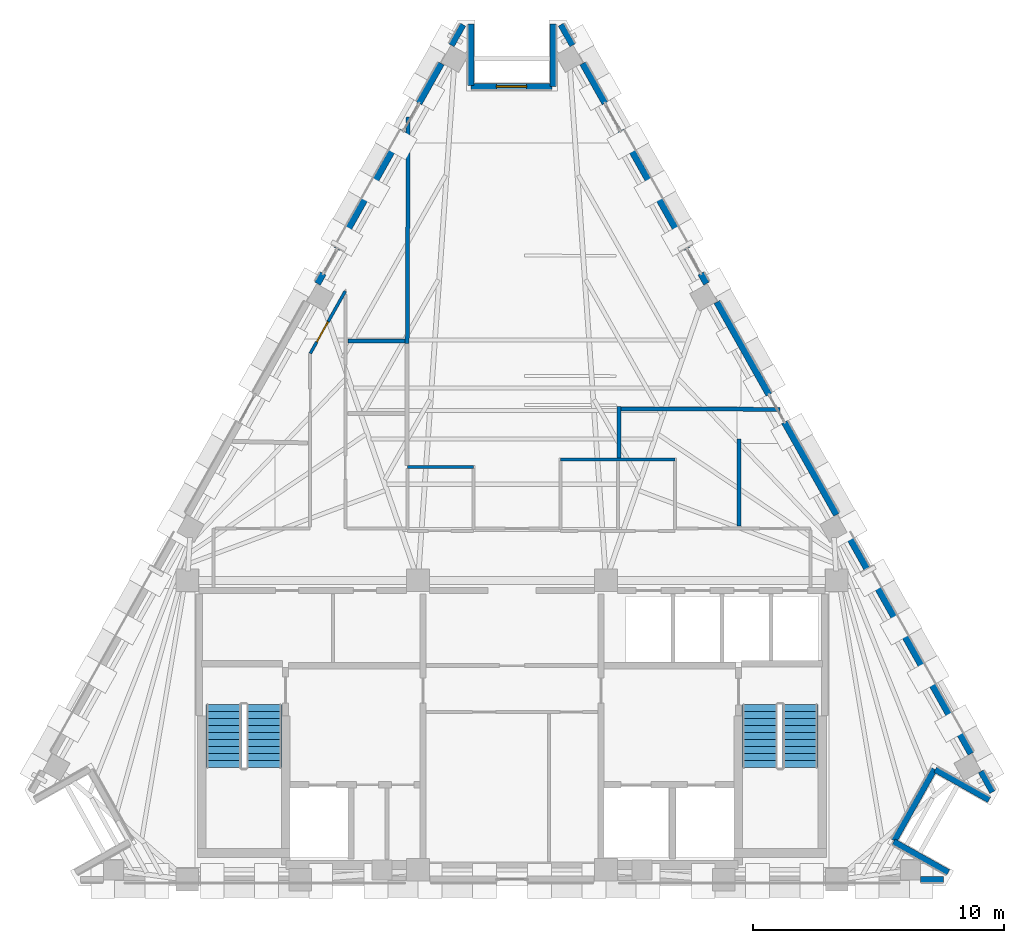
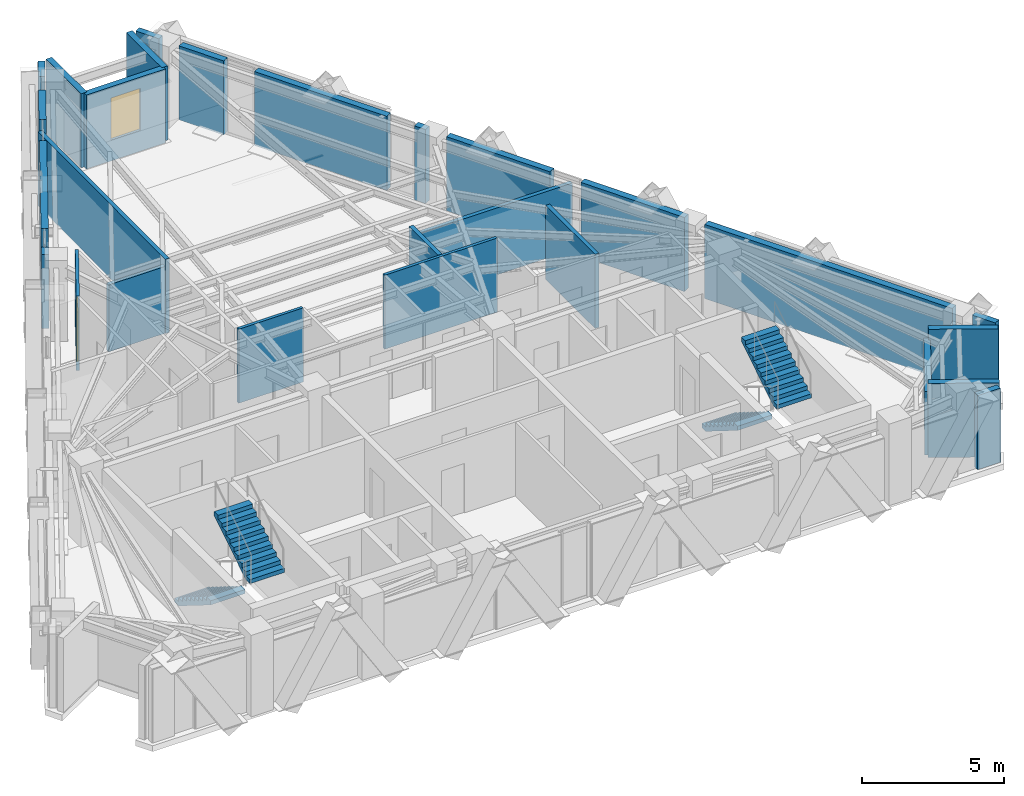
# One storey, part 7 of 9: 27 walls, 4 stair flights, 1 door, 1 window, 2 openings, 2 elements without a shape of their own.
"""IFC4 building model written with IfcOpenShell, lengths in metres."""

import ifcopenshell
import ifcopenshell.guid

model = None  # the IFC model being written
_history = None  # IfcOwnerHistory: only IFC2X3 demands one
_inside = {}  # id of a spatial element -> (the spatial element, [elements in it])
_under = {}  # id of a project, library or spatial element -> (it, [spatial elements below it])
_declared = {}  # id of a project -> (the project, [libraries it declares])
_typed = {}  # id of a type object -> (the type object, [elements of that type])
_made_of = {}  # id of a material, layer set ... -> (it, [elements and type objects made of it])


def new_model(schema):
    """Start an empty IFC model of exactly this schema.

    Asked for "IFC4X3", IfcOpenShell would pick the latest addendum, in which some entities
    have other attributes; the version numbers below select the first issue.
    IFC2X3 requires an IfcOwnerHistory on every rooted entity: one is made here for all.
    """
    global model, _history
    if schema == "IFC4X3":
        model = ifcopenshell.file(schema_version=(4, 3, 0, 0))
    else:
        model = ifcopenshell.file(schema=schema)
    _inside.clear()
    _under.clear()
    _declared.clear()
    _typed.clear()
    _made_of.clear()
    _history = None
    if model.schema == "IFC2X3":
        org = make("IfcOrganization", Name="unknown")
        user = make(
            "IfcPersonAndOrganization",
            ThePerson=make("IfcPerson", FamilyName="unknown"),
            TheOrganization=org,
        )
        app = make(
            "IfcApplication",
            ApplicationDeveloper=org,
            Version="unknown",
            ApplicationFullName="unknown",
            ApplicationIdentifier="unknown",
        )
        _history = make(
            "IfcOwnerHistory",
            OwningUser=user,
            OwningApplication=app,
            ChangeAction="ADDED",
            CreationDate=0,
        )
    return model


def make(cls, **values):
    """One entity of the class cls with the attributes given. An attribute that is None is left unset."""
    return model.create_entity(
        cls, **{name: value for name, value in values.items() if value is not None}
    )


def rooted(cls, **values):
    """An entity with a GlobalId (a new one), such as an element, a storey or a relation."""
    return make(cls, GlobalId=ifcopenshell.guid.new(), OwnerHistory=_history, **values)


def si_unit(unit_type, name, prefix=None):
    """IfcSIUnit, for example si_unit("LENGTHUNIT", "METRE", prefix="MILLI")."""
    return make("IfcSIUnit", UnitType=unit_type, Prefix=prefix, Name=name)


def assignment(units):
    """IfcUnitAssignment: the units of a project."""
    return None if units is None else make("IfcUnitAssignment", Units=units)


def point(xyz):
    """IfcCartesianPoint."""
    return None if xyz is None else make("IfcCartesianPoint", Coordinates=xyz)


def direction(xyz):
    """IfcDirection."""
    return None if xyz is None else make("IfcDirection", DirectionRatios=xyz)


def frame(location, z_axis=None, x_axis=None):
    """IfcAxis2Placement3D, a coordinate frame: its origin and axes. An axis left out is left unset."""
    return make(
        "IfcAxis2Placement3D",
        Location=point(location),
        Axis=direction(z_axis),
        RefDirection=direction(x_axis),
    )


def frame_2d(location, x_axis=None):
    """IfcAxis2Placement2D, a coordinate frame in the plane: its origin and x axis."""
    return make(
        "IfcAxis2Placement2D", Location=point(location), RefDirection=direction(x_axis)
    )


def origin():
    """The frame at (0, 0, 0) with its axes left unset."""
    return frame((0.0, 0.0, 0.0))


def place(relative_to, where):
    """IfcLocalPlacement: puts the frame where relative to a parent placement (None: the world)."""
    return make(
        "IfcLocalPlacement", PlacementRelTo=relative_to, RelativePlacement=where
    )


def context(
    kind, dimensions, precision=None, world=None, true_north=None, identifier=None
):
    """IfcGeometricRepresentationContext, for example the 3D "Model" context."""
    return make(
        "IfcGeometricRepresentationContext",
        ContextIdentifier=identifier,
        ContextType=kind,
        CoordinateSpaceDimension=dimensions,
        Precision=precision,
        WorldCoordinateSystem=world,
        TrueNorth=true_north,
    )


def subcontext(parent, identifier, kind, view, scale=None):
    """IfcGeometricRepresentationSubContext, for example "Body" below "Model"."""
    return make(
        "IfcGeometricRepresentationSubContext",
        ContextIdentifier=identifier,
        ContextType=kind,
        ParentContext=parent,
        TargetScale=scale,
        TargetView=view,
    )


def project(units=None, contexts=None):
    """IfcProject with its units and contexts."""
    return rooted(
        "IfcProject",
        Name="project",
        RepresentationContexts=contexts,
        UnitsInContext=assignment(units),
    )


def spatial(cls, under=None, at=None, **own):
    """A site, building, storey or space (cls), placed at a placement, below another one or the project."""
    s = rooted(cls, ObjectPlacement=at, **own)
    if under is not None:
        _under.setdefault(under.id(), (under, []))[1].append(s)
    return s


def polyline(points):
    """IfcPolyline through the points."""
    return make("IfcPolyline", Points=[point(p) for p in points])


def profile(cls, at=None, kind="AREA", **sizes):
    """A parametric profile (cls). Its sizes go by their IFC names, for example OverallWidth=200.0."""
    return make(cls, ProfileType=kind, Position=at, **sizes)


def rectangle(**sizes):
    """IfcRectangleProfileDef."""
    return profile("IfcRectangleProfileDef", **sizes)


def outline(outer, holes=None, kind="AREA"):
    """IfcArbitraryClosedProfileDef: a profile drawn as a closed curve; with holes, ...WithVoids."""
    if holes is None:
        return make("IfcArbitraryClosedProfileDef", ProfileType=kind, OuterCurve=outer)
    return make(
        "IfcArbitraryProfileDefWithVoids",
        ProfileType=kind,
        OuterCurve=outer,
        InnerCurves=holes,
    )


def extrude(swept, where, along, depth):
    """IfcExtrudedAreaSolid: the profile swept, set in the frame where, extruded along a direction by depth."""
    return make(
        "IfcExtrudedAreaSolid",
        SweptArea=swept,
        Position=where,
        ExtrudedDirection=direction(along),
        Depth=depth,
    )


def shape(context_of_items, identifier, shape_type, items):
    """IfcShapeRepresentation: the items that make up one representation, for example the "Body"."""
    return make(
        "IfcShapeRepresentation",
        ContextOfItems=context_of_items,
        RepresentationIdentifier=identifier,
        RepresentationType=shape_type,
        Items=items,
    )


def material(Name=None, Category=None):
    """IfcMaterial."""
    return make("IfcMaterial", Name=Name, Category=Category)


def layer(
    of_material, thickness, ventilated=None, Name=None, Category=None, Priority=None
):
    """IfcMaterialLayer: one layer of a wall or slab, of a material (None: an air gap)."""
    return make(
        "IfcMaterialLayer",
        Material=of_material,
        LayerThickness=thickness,
        IsVentilated=ventilated,
        Name=Name,
        Category=Category,
        Priority=Priority,
    )


def layer_set(layers, Name=None):
    """IfcMaterialLayerSet."""
    return make("IfcMaterialLayerSet", MaterialLayers=layers, LayerSetName=Name)


def made_of(thing, what):
    """Note that an element or type object is made of a material, layer set ...; save() writes the relation."""
    if what is not None:
        _made_of.setdefault(what.id(), (what, []))[1].append(thing)
    return thing


def type_object(cls, material=None, **own):
    """A type object (cls), such as IfcWallType, which elements share."""
    return made_of(rooted(cls, **own), material)


def element(
    cls,
    number,
    at=None,
    inside=None,
    cuts=None,
    type_object=None,
    material=None,
    context=None,
    identifier="Body",
    shape_type=None,
    held_by="IfcProductDefinitionShape",
    body=None,
    shapes=None,
    **own,
):
    """One element of the class cls, such as IfcWall. Its Tag is "e" and its number.

    at: its placement. inside: the storey or other place that contains it. cuts: it is an
    opening in that element (IfcRelVoidsElement). A single representation is given by context,
    identifier, shape_type and body (its items); several are given by shapes. held_by: the class
    of the entity that holds the representations. save() writes the other relations.
    """
    e = rooted(cls, Tag="e%d" % number, ObjectPlacement=at, **own)
    if body is not None:
        shapes = [shape(context, identifier, shape_type, body)]
    if shapes is not None:
        e.Representation = make(held_by, Representations=shapes)
    if inside is not None:
        _inside.setdefault(inside.id(), (inside, []))[1].append(e)
    if cuts is not None:
        rooted(
            "IfcRelVoidsElement", RelatingBuildingElement=cuts, RelatedOpeningElement=e
        )
    if type_object is not None:
        _typed.setdefault(type_object.id(), (type_object, []))[1].append(e)
    return made_of(e, material)


def fill(opening, filler):
    """IfcRelFillsElement: the door or window that sits in an opening."""
    return rooted(
        "IfcRelFillsElement",
        RelatingOpeningElement=opening,
        RelatedBuildingElement=filler,
    )


def aggregate(whole, parts):
    """IfcRelAggregates: a whole, such as a stair, and the parts it consists of."""
    return rooted("IfcRelAggregates", RelatingObject=whole, RelatedObjects=parts)


def save(model, path):
    """Write the relations noted so far, then the file.

    IfcRelAggregates (storeys below a building ...), IfcRelContainedInSpatialStructure (elements
    in a storey), IfcRelDefinesByType, IfcRelAssociatesMaterial and IfcRelDeclares: one each for
    every whole, place, type object, material and project.
    """
    for whole, parts in _under.values():
        aggregate(whole, parts)
    for where, things in _inside.values():
        rooted(
            "IfcRelContainedInSpatialStructure",
            RelatedElements=things,
            RelatingStructure=where,
        )
    for kind, things in _typed.values():
        rooted("IfcRelDefinesByType", RelatedObjects=things, RelatingType=kind)
    for what, things in _made_of.values():
        rooted("IfcRelAssociatesMaterial", RelatedObjects=things, RelatingMaterial=what)
    for by, libraries in _declared.values():
        rooted("IfcRelDeclares", RelatingContext=by, RelatedDefinitions=libraries)
    model.write(path)


model = new_model("IFC4")

# Units and contexts
model_context = context("Model", 3, precision=1e-05, world=origin(), true_north=direction((0.0, 1.0)))
body_context = subcontext(model_context, "Body", "Model", "MODEL_VIEW")
ifc_project = project(units=[si_unit("LENGTHUNIT", "METRE"), si_unit("AREAUNIT", "SQUARE_METRE"), si_unit("VOLUMEUNIT", "CUBIC_METRE"), si_unit("PLANEANGLEUNIT", "RADIAN"), si_unit("MASSUNIT", "GRAM", prefix="KILO")], contexts=[model_context])

# Site, building, storey
site_placement = place(None, origin())
site = spatial("IfcSite", under=ifc_project, at=site_placement, CompositionType="ELEMENT")
building_placement = place(site_placement, origin())
building = spatial("IfcBuilding", under=site, at=building_placement, Name="Quenlor Broadcast Tower", CompositionType="ELEMENT")
storey_placement = place(building_placement, frame((0.0, 0.0, 267.39990234375)))
storey = spatial("IfcBuildingStorey", under=building, at=storey_placement, Name="L74", CompositionType="ELEMENT", Elevation=267.39990234375)

# Walls
ifc_material_1 = material(Name="Gypsum Fireboard Partition", Category="other")
ifc_layer_1 = layer(ifc_material_1, 0.159912109375)
ifc_layer_set_1 = layer_set([ifc_layer_1], Name="Fire Rated Shaft and Corridor Partition 160")
wall_type_1 = type_object("IfcWallType", Name="Fire Rated Shaft and Corridor Partition 160", PredefinedType="PARTITIONING", material=ifc_layer_set_1)
wall_1_placement = place(storey_placement, frame((-4.13916015625, 13.69482421875, 0.0), z_axis=(0.0, 0.0, 1.0), x_axis=(-0.004567766824, -0.999989567699, 0.0)))
element("IfcWall", 1, at=wall_1_placement, inside=storey, type_object=wall_type_1, Name="L74 Interior Wall PW-DV-01", PredefinedType="PARTITIONING", context=body_context, shape_type="SweptSolid", body=[
    extrude(rectangle(XDim=9.03271484375, YDim=0.159912109375, at=frame_2d((4.516357421875, 0.0))), origin(), (0.0, 0.0, 1.0), 3.18017578125),
])
wall_2_placement = place(storey_placement, frame((-4.261962890625, 4.76220703125, 0.0), z_axis=(0.0, 0.0, 1.0), x_axis=(-1.0, 0.0, 0.0)))
element("IfcWall", 2, at=wall_2_placement, inside=storey, type_object=wall_type_1, Name="L74 Interior Wall PW-DV-02", PredefinedType="PARTITIONING", context=body_context, shape_type="SweptSolid", body=[
    extrude(rectangle(XDim=2.278076171875, YDim=0.159912109375, at=frame_2d((1.13916015625, 0.0))), origin(), (0.0, 0.0, 1.0), 2.872802734375),
])
wall_3_placement = place(storey_placement, frame((4.260009765625, 2.133544921875, 0.0), z_axis=(0.0, 0.0, 1.0), x_axis=(0.0, -1.0, 0.0)))
element("IfcWall", 3, at=wall_3_placement, inside=storey, type_object=wall_type_1, Name="L74 Interior Wall PW-DV-04", PredefinedType="PARTITIONING", context=body_context, shape_type="SweptSolid", body=[
    extrude(rectangle(XDim=2.04150390625, YDim=0.159912109375, at=frame_2d((1.020751953125, 0.0))), origin(), (0.0, 0.0, 1.0), 3.18017578125),
])
wall_4_placement = place(storey_placement, frame((10.701416015625, 2.02880859375, 0.0), z_axis=(0.0, 0.0, 1.0), x_axis=(-0.999999705232, 0.000767813041, 0.0)))
element("IfcWall", 4, at=wall_4_placement, inside=storey, type_object=wall_type_1, Name="L74 Interior Wall PW-DV-05", PredefinedType="PARTITIONING", context=body_context, shape_type="SweptSolid", body=[
    extrude(rectangle(XDim=6.359375, YDim=0.159912109375, at=frame_2d((3.1796875, 0.0))), origin(), (0.0, 0.0, 1.0), 2.872802734375),
])
wall_5_placement = place(storey_placement, frame((9.06005859375, 0.850341796875, 0.0), z_axis=(0.0, 0.0, 1.0), x_axis=(0.0, -1.0, 0.0)))
element("IfcWall", 5, at=wall_5_placement, inside=storey, type_object=wall_type_1, Name="L74 Interior Wall PW-DV-09", PredefinedType="PARTITIONING", context=body_context, shape_type="SweptSolid", body=[
    extrude(rectangle(XDim=3.470458984375, YDim=0.159912109375, at=frame_2d((1.7353515625, 0.0))), origin(), (0.0, 0.0, 1.0), 3.18017578125),
])
ifc_material_2 = material(Name="Gypsum Plasterboard Partition", Category="other")
ifc_layer_2 = layer(ifc_material_2, 0.1201171875)
ifc_layer_set_2 = layer_set([ifc_layer_2], Name="Standard Office Partition 120")
wall_type_2 = type_object("IfcWallType", Name="Standard Office Partition 120", PredefinedType="PARTITIONING", material=ifc_layer_set_2)
wall_6_placement = place(storey_placement, frame((-4.159912109375, -0.27001953125, 0.0), z_axis=(0.0, 0.0, 1.0), x_axis=(1.0, 0.0, 0.0)))
element("IfcWall", 6, at=wall_6_placement, inside=storey, type_object=wall_type_2, Name="L74 Interior Wall PW-AWC-N", PredefinedType="PARTITIONING", context=body_context, shape_type="SweptSolid", body=[
    extrude(rectangle(XDim=2.619873046875, YDim=0.1201171875, at=frame_2d((1.31005859375, 0.0))), origin(), (0.0, 0.0, 1.0), 3.18017578125),
])
wall_7_placement = place(storey_placement, frame((1.93994140625, 0.030029296875, 0.0), z_axis=(0.0, 0.0, 1.0), x_axis=(1.0, 0.0, 0.0)))
element("IfcWall", 7, at=wall_7_placement, inside=storey, type_object=wall_type_2, Name="L74 Interior Wall PW-WC-N", PredefinedType="PARTITIONING", context=body_context, shape_type="SweptSolid", body=[
    extrude(rectangle(XDim=4.570068359375, YDim=0.1201171875, at=frame_2d((2.28515625, 0.0))), origin(), (0.0, 0.0, 1.0), 3.18017578125),
])

# Wall, opening, door
wall_8_placement = place(storey_placement, frame((-8.048828125, 4.255615234375, 0.0), z_axis=(0.0, 0.0, 1.0), x_axis=(0.490249053239, 0.871582391859, 0.0)))
wall_8 = element("IfcWall", 8, at=wall_8_placement, inside=storey, type_object=wall_type_2, Name="L74 Interior Wall PW-CR-04", PredefinedType="PARTITIONING", context=body_context, shape_type="SweptSolid", body=[
    extrude(rectangle(XDim=2.853515625, YDim=0.1201171875, at=frame_2d((1.4267578125, 0.0))), origin(), (0.0, 0.0, 1.0), 3.18017578125),
])
opening_1_placement = place(wall_8_placement, frame((0.531005859375, 0.0, 0.0)))
opening_1 = element("IfcOpeningElement", 9, at=opening_1_placement, cuts=wall_8, Name="Opening ID-1", PredefinedType="OPENING", context=body_context, shape_type="SweptSolid", body=[
    extrude(rectangle(XDim=0.919921875, YDim=2.1201171875, at=frame_2d((0.4599609375, 1.06005859375))), frame((0.0, 0.070068359375, 0.0), z_axis=(0.0, -1.0, 0.0), x_axis=(1.0, 0.0, 0.0)), (0.0, 0.0, 1.0), 0.14013671875),
])
ifc_material_3 = material(Name="Solid Core Timber Oak", Category="wood")
door_type = type_object("IfcDoorType", Name="Single Leaf Timber Office Door 920x2120", OperationType="NOTDEFINED", PredefinedType="DOOR", material=ifc_material_3)
door_placement = place(opening_1_placement, origin())
door = element("IfcDoor", 10, at=door_placement, inside=storey, type_object=door_type, Name="L74 Door DR-RM01", OperationType="SINGLE_SWING_LEFT", OverallHeight=2.1201171875, OverallWidth=0.919921875, PredefinedType="DOOR", context=body_context, shape_type="SweptSolid", body=[
    extrude(rectangle(XDim=0.919921875, YDim=2.1201171875, at=frame_2d((0.4599609375, 1.06005859375))), frame((0.0, 0.02490234375, 0.0), z_axis=(0.0, -1.0, 0.0), x_axis=(1.0, 0.0, 0.0)), (0.0, 0.0, 1.0), 0.050048828125),
])
fill(opening_1, door)

# Walls
ifc_material_4 = material(Name="Precast concrete C40/50", Category="concrete")
ifc_layer_3 = layer(ifc_material_4, 0.239990234375)
ifc_layer_set_3 = layer_set([ifc_layer_3], Name="Terrace Threshold Precast Concrete C40/50 Wall 240")
wall_type_3 = type_object("IfcWallType", Name="Terrace Threshold Precast Concrete C40/50 Wall 240", PredefinedType="STANDARD", material=ifc_layer_set_3)
wall_9_placement = place(storey_placement, frame((17.219970703125, -16.72509765625, 0.0), z_axis=(0.0, 0.0, 1.0), x_axis=(-1.0, 0.0, 0.0)))
element("IfcWall", 11, at=wall_9_placement, inside=storey, type_object=wall_type_3, Name="L74 Exterior Wall L74-SHD-SS0", PredefinedType="STANDARD", context=body_context, shape_type="SweptSolid", body=[
    extrude(rectangle(XDim=0.91748046875, YDim=0.239990234375, at=frame_2d((0.458740234375, 0.0))), origin(), (0.0, 0.0, 1.0), 3.18017578125),
])
for number, where, z_axis, x_axis, name in (
    (12, (1.94970703125, 17.372802734375, 0.0), (0.0, 0.0, 1.0), (0.490199895283, -0.871610040479, 0.0), "L74 Exterior Wall L74-SHD-NES0"),
    (13, (18.707763671875, -12.4189453125, 0.0), (0.0, 0.0, 1.0), (0.490199895283, -0.871610040479, 0.0), "L74 Exterior Wall L74-SHD-NES1"),
    (14, (-2.412841796875, 16.54931640625, 0.0), (0.0, 0.0, 1.0), (0.490199895283, 0.871610040479, 0.0), "L74 Exterior Wall L74-SHD-NWS1"),
):
    element("IfcWall", number, at=place(storey_placement, frame(where, z_axis=z_axis, x_axis=x_axis)), inside=storey, type_object=wall_type_3, Name=name, PredefinedType="STANDARD", context=body_context, shape_type="SweptSolid", body=[
        extrude(rectangle(XDim=0.94482421875, YDim=0.239990234375, at=frame_2d((0.472412109375, 0.0))), origin(), (0.0, 0.0, 1.0), 3.18017578125),
    ])
wall_10_placement = place(storey_placement, frame((17.40771484375, -16.446533203125, 0.0), z_axis=(0.0, 0.0, 1.0), x_axis=(-0.871588577066, 0.490238056792, 0.0)))
element("IfcWall", 15, at=wall_10_placement, inside=storey, type_object=wall_type_3, Name="L74 Exterior Wall L74-CNR-01", PredefinedType="STANDARD", context=body_context, shape_type="SweptSolid", body=[
    extrude(rectangle(XDim=2.5, YDim=0.239990234375, at=frame_2d((1.25, 0.0))), origin(), (0.0, 0.0, 1.0), 3.18017578125),
])
wall_11_placement = place(storey_placement, frame((15.248291015625, -15.18603515625, 0.0), z_axis=(0.0, 0.0, 1.0), x_axis=(0.490293083368, 0.871557624258, 0.0)))
element("IfcWall", 16, at=wall_11_placement, inside=storey, type_object=wall_type_3, Name="L74 Exterior Wall L74-CNR-02", PredefinedType="STANDARD", context=body_context, shape_type="SweptSolid", body=[
    extrude(rectangle(XDim=3.276123046875, YDim=0.239990234375, at=frame_2d((1.63818359375, 0.0))), origin(), (0.0, 0.0, 1.0), 2.7197265625),
])
wall_12_placement = place(storey_placement, frame((16.889404296875, -12.350341796875, 0.0), z_axis=(0.0, 0.0, 1.0), x_axis=(0.87157023615, -0.490270663468, 0.0)))
element("IfcWall", 17, at=wall_12_placement, inside=storey, type_object=wall_type_3, Name="L74 Exterior Wall L74-CNR-03", PredefinedType="STANDARD", context=body_context, shape_type="SweptSolid", body=[
    extrude(rectangle(XDim=2.4599609375, YDim=0.239990234375, at=frame_2d((1.22998046875, 0.0))), origin(), (0.0, 0.0, 1.0), 3.18017578125),
])
wall_13_placement = place(storey_placement, frame((1.62890625, 17.39990234375, 0.0), z_axis=(0.0, 0.0, 1.0), x_axis=(0.0, -1.0, 0.0)))
element("IfcWall", 18, at=wall_13_placement, inside=storey, type_object=wall_type_3, Name="L74 Exterior Wall L74-CNR-07", PredefinedType="STANDARD", context=body_context, shape_type="SweptSolid", body=[
    extrude(rectangle(XDim=2.5, YDim=0.239990234375, at=frame_2d((1.25, 0.0))), origin(), (0.0, 0.0, 1.0), 3.18017578125),
])

# Wall, opening, window
wall_14_placement = place(storey_placement, frame((1.5888671875, 14.89990234375, 0.0), z_axis=(0.0, 0.0, 1.0), x_axis=(-1.0, 0.0, 0.0)))
wall_14 = element("IfcWall", 19, at=wall_14_placement, inside=storey, type_object=wall_type_3, Name="L74 Exterior Wall L74-CNR-08", PredefinedType="STANDARD", context=body_context, shape_type="SweptSolid", body=[
    extrude(rectangle(XDim=3.2177734375, YDim=0.239990234375, at=frame_2d((1.60888671875, 0.0))), origin(), (0.0, 0.0, 1.0), 3.18017578125),
])
opening_2_placement = place(wall_14_placement, frame((1.009033203125, 0.0, 0.89990234375)))
opening_2 = element("IfcOpeningElement", 20, at=opening_2_placement, cuts=wall_14, Name="Opening WN-5", PredefinedType="OPENING", context=body_context, shape_type="SweptSolid", body=[
    extrude(rectangle(XDim=1.199951171875, YDim=1.800048828125, at=frame_2d((0.60009765625, 0.89990234375))), frame((0.0, 0.1298828125, 0.0), z_axis=(0.0, -1.0, 0.0), x_axis=(1.0, 0.0, 0.0)), (0.0, 0.0, 1.0), 0.260009765625),
])
ifc_material_5 = material(Name="Thermally Broken Aluminium and Low-E Glass", Category="aluminium")
window_type = type_object("IfcWindowType", Name="Corner Chamfer Punched Window 1200x1800", PartitioningType="SINGLE_PANEL", PredefinedType="WINDOW", material=ifc_material_5)
window_placement = place(opening_2_placement, origin())
window = element("IfcWindow", 21, at=window_placement, inside=storey, type_object=window_type, Name="L74 Corner Chamfer Window 8", OverallHeight=1.800048828125, OverallWidth=1.199951171875, PartitioningType="SINGLE_PANEL", PredefinedType="WINDOW", context=body_context, shape_type="SweptSolid", body=[
    extrude(rectangle(XDim=1.199951171875, YDim=1.800048828125, at=frame_2d((0.60009765625, 0.89990234375))), frame((0.0, 0.030029296875, 0.0), z_axis=(0.0, -1.0, 0.0), x_axis=(1.0, 0.0, 0.0)), (0.0, 0.0, 1.0), 0.06005859375),
])
fill(opening_2, window)

# Walls
wall_15_placement = place(storey_placement, frame((-1.62890625, 14.93994140625, 0.0), z_axis=(0.0, 0.0, 1.0), x_axis=(0.0, 1.0, 0.0)))
element("IfcWall", 22, at=wall_15_placement, inside=storey, type_object=wall_type_3, Name="L74 Exterior Wall L74-CNR-09", PredefinedType="STANDARD", context=body_context, shape_type="SweptSolid", body=[
    extrude(rectangle(XDim=2.4599609375, YDim=0.239990234375, at=frame_2d((1.22998046875, 0.0))), origin(), (0.0, 0.0, 1.0), 3.18017578125),
])
ifc_material_6 = material(Name="Precast concrete C40/50", Category="concrete")
ifc_layer_4 = layer(ifc_material_6, 0.260009765625)
ifc_layer_set_4 = layer_set([ifc_layer_4], Name="Terracotta Precast Concrete C40/50 Upper Wall 260")
wall_type_4 = type_object("IfcWallType", Name="Terracotta Precast Concrete C40/50 Upper Wall 260", PredefinedType="STANDARD", material=ifc_layer_set_4)
wall_16_placement = place(storey_placement, frame((2.81982421875, 15.825927734375, 0.0), z_axis=(0.0, 0.0, 1.0), x_axis=(0.490261239633, -0.871575537125, 0.0)))
element("IfcWall", 23, at=wall_16_placement, inside=storey, type_object=wall_type_4, Name="L74 Exterior Wall L74-NEA-SP1", PredefinedType="STANDARD", context=body_context, shape_type="SweptSolid", body=[
    extrude(rectangle(XDim=1.819580078125, YDim=0.260009765625, at=frame_2d((0.90966796875, 0.0))), origin(), (0.0, 0.0, 1.0), 3.18017578125),
])
wall_17_placement = place(storey_placement, frame((4.329833984375, 13.1416015625, 0.0), z_axis=(0.0, 0.0, 1.0), x_axis=(0.490265525523, -0.871573126297, 0.0)))
element("IfcWall", 24, at=wall_17_placement, inside=storey, type_object=wall_type_4, Name="L74 Exterior Wall L74-NEA-SP2", PredefinedType="STANDARD", context=body_context, shape_type="SweptSolid", body=[
    extrude(rectangle(XDim=5.408935546875, YDim=0.260009765625, at=frame_2d((2.70458984375, 0.0))), origin(), (0.0, 0.0, 1.0), 3.18017578125),
])
wall_18_placement = place(storey_placement, frame((7.534423828125, 7.444580078125, 0.0), z_axis=(0.0, 0.0, 1.0), x_axis=(0.490412424957, -0.871490478116, 0.0)))
element("IfcWall", 25, at=wall_18_placement, inside=storey, type_object=wall_type_4, Name="L74 Exterior Wall L74-NEA-SP3", PredefinedType="STANDARD", context=body_context, shape_type="SweptSolid", body=[
    extrude(rectangle(XDim=0.4599609375, YDim=0.260009765625, at=frame_2d((0.22998046875, 0.0))), origin(), (0.0, 0.0, 1.0), 3.18017578125),
])
wall_19_placement = place(storey_placement, frame((13.350830078125, -2.895751953125, 0.0), z_axis=(0.0, 0.0, 1.0), x_axis=(0.490266968583, -0.871572314565, 0.0)))
element("IfcWall", 26, at=wall_19_placement, inside=storey, type_object=wall_type_4, Name="L74 Exterior Wall L74-EW-NEC", PredefinedType="STANDARD", context=body_context, shape_type="SweptSolid", body=[
    extrude(rectangle(XDim=10.116455078125, YDim=0.260009765625, at=frame_2d((5.05810546875, 0.0))), origin(), (0.0, 0.0, 1.0), 3.18017578125),
])
wall_20_placement = place(storey_placement, frame((8.17431640625, 6.30712890625, 0.0), z_axis=(0.0, 0.0, 1.0), x_axis=(0.490269447258, -0.871570920284, 0.0)))
element("IfcWall", 27, at=wall_20_placement, inside=storey, type_object=wall_type_4, Name="L74 Exterior Wall L74-NE-SP1", PredefinedType="STANDARD", context=body_context, shape_type="SweptSolid", body=[
    extrude(rectangle(XDim=4.23681640625, YDim=0.260009765625, at=frame_2d((2.118408203125, 0.0))), origin(), (0.0, 0.0, 1.0), 3.18017578125),
])
wall_21_placement = place(storey_placement, frame((10.869140625, 1.51611328125, 0.0), z_axis=(0.0, 0.0, 1.0), x_axis=(0.490244825075, -0.871584770109, 0.0)))
element("IfcWall", 28, at=wall_21_placement, inside=storey, type_object=wall_type_4, Name="L74 Exterior Wall L74-NE-SP2", PredefinedType="STANDARD", context=body_context, shape_type="SweptSolid", body=[
    extrude(rectangle(XDim=4.237060546875, YDim=0.260009765625, at=frame_2d((2.11865234375, 0.0))), origin(), (0.0, 0.0, 1.0), 3.18017578125),
])
wall_22_placement = place(storey_placement, frame((-7.760009765625, 7.043701171875, 0.0), z_axis=(0.0, 0.0, 1.0), x_axis=(0.490412424957, 0.871490478116, 0.0)))
element("IfcWall", 29, at=wall_22_placement, inside=storey, type_object=wall_type_4, Name="L74 Exterior Wall L74-NWC-SP1", PredefinedType="STANDARD", context=body_context, shape_type="SweptSolid", body=[
    extrude(rectangle(XDim=0.4599609375, YDim=0.260009765625, at=frame_2d((0.22998046875, 0.0))), origin(), (0.0, 0.0, 1.0), 3.18017578125),
])
wall_23_placement = place(storey_placement, frame((-6.981689453125, 8.42724609375, 0.0), z_axis=(0.0, 0.0, 1.0), x_axis=(0.490265525523, 0.871573126297, 0.0)))
element("IfcWall", 30, at=wall_23_placement, inside=storey, type_object=wall_type_4, Name="L74 Exterior Wall L74-NWC-SP2", PredefinedType="STANDARD", context=body_context, shape_type="SweptSolid", body=[
    extrude(rectangle(XDim=5.408935546875, YDim=0.260009765625, at=frame_2d((2.70458984375, 0.0))), origin(), (0.0, 0.0, 1.0), 3.18017578125),
])
wall_24_placement = place(storey_placement, frame((-3.7119140625, 14.239990234375, 0.0), z_axis=(0.0, 0.0, 1.0), x_axis=(0.490261239633, 0.871575537125, 0.0)))
element("IfcWall", 31, at=wall_24_placement, inside=storey, type_object=wall_type_4, Name="L74 Exterior Wall L74-NWC-SP3", PredefinedType="STANDARD", context=body_context, shape_type="SweptSolid", body=[
    extrude(rectangle(XDim=1.819580078125, YDim=0.260009765625, at=frame_2d((0.90966796875, 0.0))), origin(), (0.0, 0.0, 1.0), 3.18017578125),
])

# Stair, stair flights
ifc_material_7 = material(Name="Precast concrete C40/50", Category="concrete")
stair_type = type_object("IfcStairType", Name="Precast Concrete C40/50 Dogleg Stair H350", PredefinedType="HALF_TURN_STAIR", material=ifc_material_7)
stair_1_placement = place(storey_placement, origin())
stair_1 = element("IfcStair", 32, at=stair_1_placement, inside=storey, type_object=stair_type, Name="L74 West Core Fire-Isolated Exit Stair ST-1", PredefinedType="HALF_TURN_STAIR")
ifc_material_8 = material(Name="Precast concrete C40/50", Category="concrete")
ifc_layer_5 = layer(ifc_material_8, 0.159912109375)
ifc_layer_set_5 = layer_set([ifc_layer_5], Name="Precast Concrete C40/50 Stair Flight H350")
stair_flight_type = type_object("IfcStairFlightType", Name="Precast Concrete C40/50 Stair Flight H350", PredefinedType="STRAIGHT", material=ifc_layer_set_5)
stair_flight_1_placement = place(storey_placement, frame((-11.5, -9.75, 0.0), z_axis=(0.0, 0.0, 1.0), x_axis=(0.0, -1.0, 0.0)))
stair_flight_1 = element("IfcStairFlight", 33, at=stair_flight_1_placement, type_object=stair_flight_type, Name="ST-1 flight 1", NumberOfRisers=10, NumberOfTreads=9, PredefinedType="STRAIGHT", RiserHeight=0.175, TreadLength=0.28, context=body_context, shape_type="SweptSolid", body=[
    extrude(outline(polyline([(0.0, 0.0), (0.0, 0.175048828125), (0.280029296875, 0.175048828125), (0.280029296875, 0.35009765625), (0.56005859375, 0.35009765625), (0.56005859375, 0.52490234375), (0.840087890625, 0.52490234375), (0.840087890625, 0.699951171875), (1.1201171875, 0.699951171875), (1.1201171875, 0.875), (1.39990234375, 0.875), (1.39990234375, 1.050048828125), (1.679931640625, 1.050048828125), (1.679931640625, 1.22509765625), (1.9599609375, 1.22509765625), (1.9599609375, 1.39990234375), (2.239990234375, 1.39990234375), (2.239990234375, 1.574951171875), (2.52001953125, 1.574951171875), (2.52001953125, 1.75), (2.52001953125, 1.398193359375), (0.28271484375, 0.0), (0.0, 0.0)])), frame((0.0, 0.699951171875, 0.0), z_axis=(0.0, -1.0, 0.0), x_axis=(1.0, 0.0, 0.0)), (0.0, 0.0, 1.0), 1.39990234375),
])
stair_flight_2_placement = place(storey_placement, frame((-9.89990234375, -12.27001953125, 1.75), z_axis=(0.0, 0.0, 1.0), x_axis=(0.0, 1.0, 0.0)))
stair_flight_2 = element("IfcStairFlight", 34, at=stair_flight_2_placement, type_object=stair_flight_type, Name="ST-1 flight 2", NumberOfRisers=10, NumberOfTreads=9, PredefinedType="STRAIGHT", RiserHeight=0.175, TreadLength=0.28, context=body_context, shape_type="SweptSolid", body=[
    extrude(outline(polyline([(0.0, 0.0), (0.0, 0.175048828125), (0.280029296875, 0.175048828125), (0.280029296875, 0.35009765625), (0.56005859375, 0.35009765625), (0.56005859375, 0.52490234375), (0.840087890625, 0.52490234375), (0.840087890625, 0.699951171875), (1.1201171875, 0.699951171875), (1.1201171875, 0.875), (1.39990234375, 0.875), (1.39990234375, 1.050048828125), (1.679931640625, 1.050048828125), (1.679931640625, 1.22509765625), (1.9599609375, 1.22509765625), (1.9599609375, 1.39990234375), (2.239990234375, 1.39990234375), (2.239990234375, 1.574951171875), (2.52001953125, 1.574951171875), (2.52001953125, 1.75), (2.52001953125, 1.398193359375), (0.28271484375, 0.0), (0.0, 0.0)])), frame((0.0, 0.699951171875, 0.0), z_axis=(0.0, -1.0, 0.0), x_axis=(1.0, 0.0, 0.0)), (0.0, 0.0, 1.0), 1.39990234375),
])
aggregate(stair_1, [stair_flight_1, stair_flight_2])

stair_2_placement = place(storey_placement, origin())
stair_2 = element("IfcStair", 35, at=stair_2_placement, inside=storey, type_object=stair_type, Name="L74 East Core Fire-Isolated Exit Stair ST-2", PredefinedType="HALF_TURN_STAIR")
stair_flight_3_placement = place(storey_placement, frame((9.89990234375, -9.75, 0.0), z_axis=(0.0, 0.0, 1.0), x_axis=(0.0, -1.0, 0.0)))
stair_flight_3 = element("IfcStairFlight", 36, at=stair_flight_3_placement, type_object=stair_flight_type, Name="ST-2 flight 1", NumberOfRisers=10, NumberOfTreads=9, PredefinedType="STRAIGHT", RiserHeight=0.175, TreadLength=0.28, context=body_context, shape_type="SweptSolid", body=[
    extrude(outline(polyline([(0.0, 0.0), (0.0, 0.175048828125), (0.280029296875, 0.175048828125), (0.280029296875, 0.35009765625), (0.56005859375, 0.35009765625), (0.56005859375, 0.52490234375), (0.840087890625, 0.52490234375), (0.840087890625, 0.699951171875), (1.1201171875, 0.699951171875), (1.1201171875, 0.875), (1.39990234375, 0.875), (1.39990234375, 1.050048828125), (1.679931640625, 1.050048828125), (1.679931640625, 1.22509765625), (1.9599609375, 1.22509765625), (1.9599609375, 1.39990234375), (2.239990234375, 1.39990234375), (2.239990234375, 1.574951171875), (2.52001953125, 1.574951171875), (2.52001953125, 1.75), (2.52001953125, 1.398193359375), (0.28271484375, 0.0), (0.0, 0.0)])), frame((0.0, 0.699951171875, 0.0), z_axis=(0.0, -1.0, 0.0), x_axis=(1.0, 0.0, 0.0)), (0.0, 0.0, 1.0), 1.39990234375),
])
stair_flight_4_placement = place(storey_placement, frame((11.5, -12.27001953125, 1.75), z_axis=(0.0, 0.0, 1.0), x_axis=(0.0, 1.0, 0.0)))
stair_flight_4 = element("IfcStairFlight", 37, at=stair_flight_4_placement, type_object=stair_flight_type, Name="ST-2 flight 2", NumberOfRisers=10, NumberOfTreads=9, PredefinedType="STRAIGHT", RiserHeight=0.175, TreadLength=0.28, context=body_context, shape_type="SweptSolid", body=[
    extrude(outline(polyline([(0.0, 0.0), (0.0, 0.175048828125), (0.280029296875, 0.175048828125), (0.280029296875, 0.35009765625), (0.56005859375, 0.35009765625), (0.56005859375, 0.52490234375), (0.840087890625, 0.52490234375), (0.840087890625, 0.699951171875), (1.1201171875, 0.699951171875), (1.1201171875, 0.875), (1.39990234375, 0.875), (1.39990234375, 1.050048828125), (1.679931640625, 1.050048828125), (1.679931640625, 1.22509765625), (1.9599609375, 1.22509765625), (1.9599609375, 1.39990234375), (2.239990234375, 1.39990234375), (2.239990234375, 1.574951171875), (2.52001953125, 1.574951171875), (2.52001953125, 1.75), (2.52001953125, 1.398193359375), (0.28271484375, 0.0), (0.0, 0.0)])), frame((0.0, 0.699951171875, 0.0), z_axis=(0.0, -1.0, 0.0), x_axis=(1.0, 0.0, 0.0)), (0.0, 0.0, 1.0), 1.39990234375),
])
aggregate(stair_2, [stair_flight_3, stair_flight_4])

save(model, "model.ifc")
